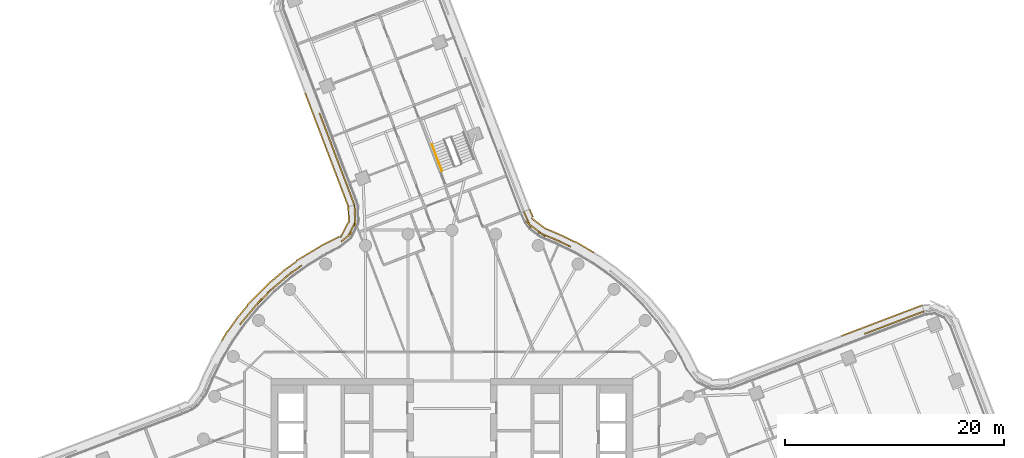
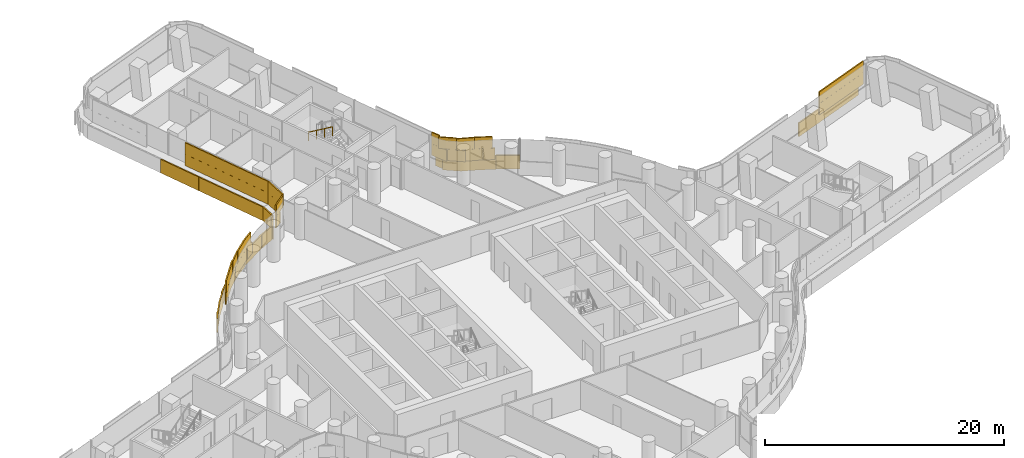
# One storey, part 31 of 32: 4 coverings, 1 railing.
"""IFC4 building model written with IfcOpenShell, lengths in metres."""

from ifc_helpers import new_model, si_unit, direction, frame, origin, origin_2d, place, context, subcontext, project, spatial, rectangle, circle, extrude, material, layer, layer_set, type_object, element, save


model = new_model("IFC4")

# Units and contexts
model_context = context("Model", 3, precision=1e-05, world=origin(), true_north=direction((0.0, 1.0)))
body_context = subcontext(model_context, "Body", "Model", "MODEL_VIEW")
ifc_project = project(units=[si_unit("LENGTHUNIT", "METRE"), si_unit("AREAUNIT", "SQUARE_METRE"), si_unit("VOLUMEUNIT", "CUBIC_METRE"), si_unit("PLANEANGLEUNIT", "RADIAN"), si_unit("MASSUNIT", "GRAM", prefix="KILO")], contexts=[model_context])

# Site, building, storey
site_placement = place(None, origin())
site = spatial("IfcSite", under=ifc_project, at=site_placement, CompositionType="ELEMENT")
building_placement = place(site_placement, origin())
building = spatial("IfcBuilding", under=site, at=building_placement, Name="Tamarind Cross Interchange Tower", CompositionType="ELEMENT")
storey_placement = place(building_placement, frame((0.0, 0.0, 109.75)))
storey = spatial("IfcBuildingStorey", under=building, at=storey_placement, Name="L26", CompositionType="ELEMENT", Elevation=109.75)

# Railing
ifc_material_1 = material(Name="Stair handrail")
railing_type = type_object("IfcRailingType", Name="Stair handrail", PredefinedType="HANDRAIL", material=ifc_material_1)
railing_placement = place(storey_placement, frame((-1.81982421875, 30.831787109375, 2.04541015625)))
element("IfcRailing", 1, at=railing_placement, inside=storey, type_object=railing_type, Name="L26 ST4 stair handrail 2", PredefinedType="HANDRAIL", context=body_context, shape_type="SweptSolid", body=[
    extrude(circle(Radius=0.02392578125, at=origin_2d()), frame((0.0, 0.0, 0.8759765625), z_axis=(0.298327282392, -0.781273527908, 0.548281412388), x_axis=(0.934209283065, 0.356725406208, 0.0)), (0.0, 0.0, 1.0), 3.10888671875),
    extrude(circle(Radius=0.02099609375, at=origin_2d()), origin(), (0.0, 0.0, 1.0), 0.851806640625),
    extrude(circle(Radius=0.02099609375, at=origin_2d()), frame((0.30908203125, -0.8095703125, 0.568115234375)), (0.0, 0.0, 1.0), 0.851806640625),
    extrude(circle(Radius=0.02099609375, at=origin_2d()), frame((0.618408203125, -1.619384765625, 1.136474609375)), (0.0, 0.0, 1.0), 0.851806640625),
    extrude(circle(Radius=0.02099609375, at=origin_2d()), frame((0.927490234375, -2.428955078125, 1.70458984375)), (0.0, 0.0, 1.0), 0.851806640625),
])

# Coverings
ifc_material_2 = material(Name="Terracotta", Category="masonry")
ifc_layer = layer(ifc_material_2, 0.1201171875)
ifc_layer_set = layer_set([ifc_layer], Name="Terracotta")
covering_type = type_object("IfcCoveringType", Name="Terracotta baguette screen unit", PredefinedType="MOLDING", material=ifc_layer_set)
covering_1_placement = place(storey_placement, origin())
element("IfcCovering", 2, at=covering_1_placement, inside=storey, type_object=covering_type, Name="SCR-L26-09-00", PredefinedType="MOLDING", context=body_context, shape_type="SweptSolid", body=[
    extrude(rectangle(XDim=1.510009765625, YDim=0.1201171875, at=origin_2d()), frame((42.316162109375, 15.3466796875, 1.404052734375), z_axis=(0.0, 0.0, 1.0), x_axis=(-0.934795735228, -0.355185773082, 0.0)), (0.0, 0.0, 1.0), 1.1669921875),
    extrude(rectangle(XDim=1.52001953125, YDim=0.1201171875, at=origin_2d()), frame((40.9140625, 14.81396484375, 1.404052734375), z_axis=(0.0, 0.0, 1.0), x_axis=(-0.934795735228, -0.355185773082, 0.0)), (0.0, 0.0, 1.0), 1.1669921875),
    extrude(rectangle(XDim=1.52001953125, YDim=0.1201171875, at=origin_2d()), frame((39.51171875, 14.28125, 1.404052734375), z_axis=(0.0, 0.0, 1.0), x_axis=(-0.934795735228, -0.355185773082, 0.0)), (0.0, 0.0, 1.0), 1.1669921875),
    extrude(rectangle(XDim=1.300537109375, YDim=0.1201171875, at=origin_2d()), frame((38.20751953125, 13.78564453125, 1.404052734375), z_axis=(0.0, 0.0, 1.0), x_axis=(-0.934795735228, -0.355185773082, 0.0)), (0.0, 0.0, 1.0), 1.1669921875),
    extrude(rectangle(XDim=0.760009765625, YDim=0.1201171875, at=origin_2d()), frame((42.666748046875, 15.47998046875, 2.5791015625), z_axis=(0.0, 0.0, 1.0), x_axis=(-0.934795735228, -0.355185773082, 0.0)), (0.0, 0.0, 1.0), 1.1669921875),
    extrude(rectangle(XDim=1.52001953125, YDim=0.1201171875, at=origin_2d()), frame((41.614990234375, 15.080322265625, 2.5791015625), z_axis=(0.0, 0.0, 1.0), x_axis=(-0.934795735228, -0.355185773082, 0.0)), (0.0, 0.0, 1.0), 1.1669921875),
    extrude(rectangle(XDim=1.52001953125, YDim=0.1201171875, at=origin_2d()), frame((40.212890625, 14.547607421875, 2.5791015625), z_axis=(0.0, 0.0, 1.0), x_axis=(-0.934795735228, -0.355185773082, 0.0)), (0.0, 0.0, 1.0), 1.1669921875),
    extrude(rectangle(XDim=1.52001953125, YDim=0.1201171875, at=origin_2d()), frame((38.810791015625, 14.014892578125, 2.5791015625), z_axis=(0.0, 0.0, 1.0), x_axis=(-0.934795735228, -0.355185773082, 0.0)), (0.0, 0.0, 1.0), 1.1669921875),
    extrude(rectangle(XDim=0.550537109375, YDim=0.1201171875, at=origin_2d()), frame((37.85693359375, 13.65234375, 2.5791015625), z_axis=(0.0, 0.0, 1.0), x_axis=(-0.934795735228, -0.355185773082, 0.0)), (0.0, 0.0, 1.0), 1.1669921875),
    extrude(rectangle(XDim=1.510009765625, YDim=0.1201171875, at=origin_2d()), frame((42.177734375, 15.908203125, 0.00390625), z_axis=(0.0, 0.0, 1.0), x_axis=(-0.934795735228, -0.355185773082, 0.0)), (0.0, 0.0, 1.0), 1.39208984375),
    extrude(rectangle(XDim=1.52001953125, YDim=0.1201171875, at=origin_2d()), frame((40.7802734375, 15.377197265625, 0.00390625), z_axis=(0.0, 0.0, 1.0), x_axis=(-0.934795735228, -0.355185773082, 0.0)), (0.0, 0.0, 1.0), 1.39208984375),
    extrude(rectangle(XDim=1.52001953125, YDim=0.1201171875, at=origin_2d()), frame((39.378173828125, 14.844482421875, 0.00390625), z_axis=(0.0, 0.0, 1.0), x_axis=(-0.934795735228, -0.355185773082, 0.0)), (0.0, 0.0, 1.0), 1.39208984375),
    extrude(rectangle(XDim=1.52001953125, YDim=0.1201171875, at=origin_2d()), frame((37.975830078125, 14.311767578125, 0.00390625), z_axis=(0.0, 0.0, 1.0), x_axis=(-0.934795735228, -0.355185773082, 0.0)), (0.0, 0.0, 1.0), 1.39208984375),
    extrude(rectangle(XDim=1.52001953125, YDim=0.1201171875, at=origin_2d()), frame((36.57373046875, 13.77880859375, 0.00390625), z_axis=(0.0, 0.0, 1.0), x_axis=(-0.934795735228, -0.355185773082, 0.0)), (0.0, 0.0, 1.0), 1.39208984375),
    extrude(rectangle(XDim=0.393310546875, YDim=0.1201171875, at=origin_2d()), frame((35.6982421875, 13.4462890625, 0.00390625), z_axis=(0.0, 0.0, 1.0), x_axis=(-0.934795735228, -0.355185773082, 0.0)), (0.0, 0.0, 1.0), 1.39208984375),
])
covering_2_placement = place(storey_placement, origin())
element("IfcCovering", 3, at=covering_2_placement, inside=storey, type_object=covering_type, Name="SCR-L26-10-01", PredefinedType="MOLDING", context=body_context, shape_type="SweptSolid", body=[
    extrude(rectangle(XDim=0.989013671875, YDim=0.1201171875, at=origin_2d()), frame((10.378662109375, 21.712646484375, 1.404052734375), z_axis=(0.0, 0.0, 1.0), x_axis=(-0.900272776334, 0.435326231914, 0.0)), (0.0, 0.0, 1.0), 1.1669921875),
    extrude(rectangle(XDim=1.52001953125, YDim=0.1201171875, at=origin_2d()), frame((9.2548828125, 22.235107421875, 1.404052734375), z_axis=(0.0, 0.0, 1.0), x_axis=(-0.92225308649, 0.386586658408, 0.0)), (0.0, 0.0, 1.0), 1.1669921875),
    extrude(rectangle(XDim=1.52001953125, YDim=0.1201171875, at=origin_2d()), frame((7.917724609375, 22.89501953125, 1.404052734375), z_axis=(0.0, 0.0, 1.0), x_axis=(-0.798500600965, 0.601994011813, 0.0)), (0.0, 0.0, 1.0), 1.1669921875),
    extrude(rectangle(XDim=1.52001953125, YDim=0.1201171875, at=origin_2d()), frame((6.8876953125, 23.95166015625, 1.404052734375), z_axis=(0.0, 0.0, 1.0), x_axis=(-0.403415408267, 0.915016944309, 0.0)), (0.0, 0.0, 1.0), 1.1669921875),
    extrude(rectangle(XDim=0.068359375, YDim=0.1201171875, at=origin_2d()), frame((6.573486328125, 24.664794921875, 1.404052734375), z_axis=(0.0, 0.0, 1.0), x_axis=(-0.403415408267, 0.915016944309, 0.0)), (0.0, 0.0, 1.0), 1.1669921875),
    extrude(rectangle(XDim=1.52001953125, YDim=0.1201171875, at=origin_2d()), frame((9.93798828125, 21.92578125, 2.5791015625), z_axis=(0.0, 0.0, 1.0), x_axis=(-0.900272776334, 0.435326231914, 0.0)), (0.0, 0.0, 1.0), 1.1669921875),
    extrude(rectangle(XDim=1.52001953125, YDim=0.1201171875, at=origin_2d()), frame((8.563232421875, 22.52490234375, 2.5791015625), z_axis=(0.0, 0.0, 1.0), x_axis=(-0.92225308649, 0.386586658408, 0.0)), (0.0, 0.0, 1.0), 1.1669921875),
    extrude(rectangle(XDim=1.52001953125, YDim=0.1201171875, at=origin_2d()), frame((7.31884765625, 23.346435546875, 2.5791015625), z_axis=(0.0, 0.0, 1.0), x_axis=(-0.798500600965, 0.601994011813, 0.0)), (0.0, 0.0, 1.0), 1.1669921875),
    extrude(rectangle(XDim=0.818359375, YDim=0.1201171875, at=origin_2d()), frame((6.724609375, 24.321533203125, 2.5791015625), z_axis=(0.0, 0.0, 1.0), x_axis=(-0.403415408267, 0.915016944309, 0.0)), (0.0, 0.0, 1.0), 1.1669921875),
    extrude(rectangle(XDim=0.534423828125, YDim=0.1201171875, at=origin_2d()), frame((12.7236328125, 21.101318359375, 0.00390625), z_axis=(0.0, 0.0, 1.0), x_axis=(-0.861248933065, 0.508183308752, 0.0)), (0.0, 0.0, 1.0), 1.39208984375),
    extrude(rectangle(XDim=1.52001953125, YDim=0.1201171875, at=origin_2d()), frame((11.856201171875, 21.61328125, 0.00390625), z_axis=(0.0, 0.0, 1.0), x_axis=(-0.861248933065, 0.508183308752, 0.0)), (0.0, 0.0, 1.0), 1.39208984375),
    extrude(rectangle(XDim=1.52001953125, YDim=0.1201171875, at=origin_2d()), frame((10.515380859375, 22.2841796875, 0.00390625), z_axis=(0.0, 0.0, 1.0), x_axis=(-0.900272776334, 0.435326231914, 0.0)), (0.0, 0.0, 1.0), 1.39208984375),
    extrude(rectangle(XDim=1.52001953125, YDim=0.1201171875, at=origin_2d()), frame((9.14892578125, 22.90185546875, 0.00390625), z_axis=(0.0, 0.0, 1.0), x_axis=(-0.92225308649, 0.386586658408, 0.0)), (0.0, 0.0, 1.0), 1.39208984375),
    extrude(rectangle(XDim=1.52001953125, YDim=0.1201171875, at=origin_2d()), frame((7.864501953125, 23.65380859375, 0.00390625), z_axis=(0.0, 0.0, 1.0), x_axis=(-0.798500600965, 0.601994011813, 0.0)), (0.0, 0.0, 1.0), 1.39208984375),
    extrude(rectangle(XDim=0.760498046875, YDim=0.1201171875, at=origin_2d()), frame((7.24609375, 24.561767578125, 0.00390625), z_axis=(0.0, 0.0, 1.0), x_axis=(-0.403415408267, 0.915016944309, 0.0)), (0.0, 0.0, 1.0), 1.39208984375),
])
covering_3_placement = place(storey_placement, origin())
element("IfcCovering", 4, at=covering_3_placement, inside=storey, type_object=covering_type, Name="SCR-L26-13-01", PredefinedType="MOLDING", context=body_context, shape_type="SweptSolid", body=[
    extrude(rectangle(XDim=0.519287109375, YDim=0.1201171875, at=origin_2d()), frame((-11.97412109375, 33.43994140625, 1.404052734375), z_axis=(0.0, 0.0, 1.0), x_axis=(0.355185773082, -0.934795735228, 0.0)), (0.0, 0.0, 1.0), 1.1669921875),
    extrude(rectangle(XDim=1.52001953125, YDim=0.1201171875, at=origin_2d()), frame((-11.617431640625, 32.500732421875, 1.404052734375), z_axis=(0.0, 0.0, 1.0), x_axis=(0.355185773082, -0.934795735228, 0.0)), (0.0, 0.0, 1.0), 1.1669921875),
    extrude(rectangle(XDim=1.52001953125, YDim=0.1201171875, at=origin_2d()), frame((-11.08447265625, 31.0986328125, 1.404052734375), z_axis=(0.0, 0.0, 1.0), x_axis=(0.355185773082, -0.934795735228, 0.0)), (0.0, 0.0, 1.0), 1.1669921875),
    extrude(rectangle(XDim=1.52001953125, YDim=0.1201171875, at=origin_2d()), frame((-10.5517578125, 29.696533203125, 1.404052734375), z_axis=(0.0, 0.0, 1.0), x_axis=(0.355185773082, -0.934795735228, 0.0)), (0.0, 0.0, 1.0), 1.1669921875),
    extrude(rectangle(XDim=1.52001953125, YDim=0.1201171875, at=origin_2d()), frame((-10.01904296875, 28.294189453125, 1.404052734375), z_axis=(0.0, 0.0, 1.0), x_axis=(0.355185773082, -0.934795735228, 0.0)), (0.0, 0.0, 1.0), 1.1669921875),
    extrude(rectangle(XDim=1.52001953125, YDim=0.1201171875, at=origin_2d()), frame((-9.486083984375, 26.89208984375, 1.404052734375), z_axis=(0.0, 0.0, 1.0), x_axis=(0.355185773082, -0.934795735228, 0.0)), (0.0, 0.0, 1.0), 1.1669921875),
    extrude(rectangle(XDim=0.97705078125, YDim=0.1201171875, at=origin_2d()), frame((-9.048095703125, 25.739013671875, 1.404052734375), z_axis=(0.0, 0.0, 1.0), x_axis=(0.355185773082, -0.934795735228, 0.0)), (0.0, 0.0, 1.0), 1.1669921875),
    extrude(rectangle(XDim=1.269287109375, YDim=0.1201171875, at=origin_2d()), frame((-11.841064453125, 33.08935546875, 2.5791015625), z_axis=(0.0, 0.0, 1.0), x_axis=(0.355185773082, -0.934795735228, 0.0)), (0.0, 0.0, 1.0), 1.1669921875),
    extrude(rectangle(XDim=1.52001953125, YDim=0.1201171875, at=origin_2d()), frame((-11.350830078125, 31.7998046875, 2.5791015625), z_axis=(0.0, 0.0, 1.0), x_axis=(0.355185773082, -0.934795735228, 0.0)), (0.0, 0.0, 1.0), 1.1669921875),
    extrude(rectangle(XDim=1.52001953125, YDim=0.1201171875, at=origin_2d()), frame((-10.818115234375, 30.3974609375, 2.5791015625), z_axis=(0.0, 0.0, 1.0), x_axis=(0.355185773082, -0.934795735228, 0.0)), (0.0, 0.0, 1.0), 1.1669921875),
    extrude(rectangle(XDim=1.52001953125, YDim=0.1201171875, at=origin_2d()), frame((-10.285400390625, 28.995361328125, 2.5791015625), z_axis=(0.0, 0.0, 1.0), x_axis=(0.355185773082, -0.934795735228, 0.0)), (0.0, 0.0, 1.0), 1.1669921875),
    extrude(rectangle(XDim=1.52001953125, YDim=0.1201171875, at=origin_2d()), frame((-9.752685546875, 27.59326171875, 2.5791015625), z_axis=(0.0, 0.0, 1.0), x_axis=(0.355185773082, -0.934795735228, 0.0)), (0.0, 0.0, 1.0), 1.1669921875),
    extrude(rectangle(XDim=1.52001953125, YDim=0.1201171875, at=origin_2d()), frame((-9.2197265625, 26.19091796875, 2.5791015625), z_axis=(0.0, 0.0, 1.0), x_axis=(0.355185773082, -0.934795735228, 0.0)), (0.0, 0.0, 1.0), 1.1669921875),
    extrude(rectangle(XDim=0.22705078125, YDim=0.1201171875, at=origin_2d()), frame((-8.914794921875, 25.388427734375, 2.5791015625), z_axis=(0.0, 0.0, 1.0), x_axis=(0.355185773082, -0.934795735228, 0.0)), (0.0, 0.0, 1.0), 1.1669921875),
    extrude(rectangle(XDim=1.126708984375, YDim=0.1201171875, at=origin_2d()), frame((-13.17626953125, 34.98779296875, 0.00390625), z_axis=(0.0, 0.0, 1.0), x_axis=(0.355185773082, -0.934795735228, 0.0)), (0.0, 0.0, 1.0), 1.39208984375),
    extrude(rectangle(XDim=1.52001953125, YDim=0.1201171875, at=origin_2d()), frame((-12.71337890625, 33.769287109375, 0.00390625), z_axis=(0.0, 0.0, 1.0), x_axis=(0.355185773082, -0.934795735228, 0.0)), (0.0, 0.0, 1.0), 1.39208984375),
    extrude(rectangle(XDim=1.52001953125, YDim=0.1201171875, at=origin_2d()), frame((-12.1806640625, 32.3671875, 0.00390625), z_axis=(0.0, 0.0, 1.0), x_axis=(0.355185773082, -0.934795735228, 0.0)), (0.0, 0.0, 1.0), 1.39208984375),
    extrude(rectangle(XDim=1.52001953125, YDim=0.1201171875, at=origin_2d()), frame((-11.647705078125, 30.96484375, 0.00390625), z_axis=(0.0, 0.0, 1.0), x_axis=(0.355185773082, -0.934795735228, 0.0)), (0.0, 0.0, 1.0), 1.39208984375),
    extrude(rectangle(XDim=1.52001953125, YDim=0.1201171875, at=origin_2d()), frame((-11.114990234375, 29.562744140625, 0.00390625), z_axis=(0.0, 0.0, 1.0), x_axis=(0.355185773082, -0.934795735228, 0.0)), (0.0, 0.0, 1.0), 1.39208984375),
    extrude(rectangle(XDim=1.52001953125, YDim=0.1201171875, at=origin_2d()), frame((-10.582275390625, 28.16064453125, 0.00390625), z_axis=(0.0, 0.0, 1.0), x_axis=(0.355185773082, -0.934795735228, 0.0)), (0.0, 0.0, 1.0), 1.39208984375),
    extrude(rectangle(XDim=1.52001953125, YDim=0.1201171875, at=origin_2d()), frame((-10.049560546875, 26.75830078125, 0.00390625), z_axis=(0.0, 0.0, 1.0), x_axis=(0.355185773082, -0.934795735228, 0.0)), (0.0, 0.0, 1.0), 1.39208984375),
    extrude(rectangle(XDim=0.95947265625, YDim=0.1201171875, at=origin_2d()), frame((-9.6162109375, 25.6181640625, 0.00390625), z_axis=(0.0, 0.0, 1.0), x_axis=(0.355185773082, -0.934795735228, 0.0)), (0.0, 0.0, 1.0), 1.39208984375),
])
covering_4_placement = place(storey_placement, origin())
element("IfcCovering", 5, at=covering_4_placement, inside=storey, type_object=covering_type, Name="SCR-L26-14-00", PredefinedType="MOLDING", context=body_context, shape_type="SweptSolid", body=[
    extrude(rectangle(XDim=1.510009765625, YDim=0.1201171875, at=origin_2d()), frame((-8.84423828125, 24.53759765625, 1.404052734375), z_axis=(0.0, 0.0, 1.0), x_axis=(0.042727525273, -0.99908676229, 0.0)), (0.0, 0.0, 1.0), 1.1669921875),
    extrude(rectangle(XDim=1.52001953125, YDim=0.1201171875, at=origin_2d()), frame((-9.130126953125, 23.112548828125, 1.404052734375), z_axis=(0.0, 0.0, 1.0), x_axis=(-0.441568715504, -0.89722743465, 0.0)), (0.0, 0.0, 1.0), 1.1669921875),
    extrude(rectangle(XDim=0.787109375, YDim=0.1201171875, at=origin_2d()), frame((-9.78857421875, 22.215576171875, 1.404052734375), z_axis=(0.0, 0.0, 1.0), x_axis=(-0.778238692139, -0.62796858047, 0.0)), (0.0, 0.0, 1.0), 1.1669921875),
    extrude(rectangle(XDim=1.032958984375, YDim=0.1201171875, at=origin_2d()), frame((-14.093017578125, 19.50732421875, 1.404052734375), z_axis=(0.0, 0.0, 1.0), x_axis=(-0.811340475102, -0.584573890505, 0.0)), (0.0, 0.0, 1.0), 1.1669921875),
    extrude(rectangle(XDim=1.52001953125, YDim=0.1201171875, at=origin_2d()), frame((-15.101318359375, 18.75048828125, 1.404052734375), z_axis=(0.0, 0.0, 1.0), x_axis=(-0.760295606781, -0.64957723968, 0.0)), (0.0, 0.0, 1.0), 1.1669921875),
    extrude(rectangle(XDim=1.52001953125, YDim=0.1201171875, at=origin_2d()), frame((-16.24169921875, 17.776123046875, 1.404052734375), z_axis=(0.0, 0.0, 1.0), x_axis=(-0.760295606781, -0.64957723968, 0.0)), (0.0, 0.0, 1.0), 1.1669921875),
    extrude(rectangle(XDim=1.52001953125, YDim=0.1201171875, at=origin_2d()), frame((-17.308837890625, 16.72265625, 1.404052734375), z_axis=(0.0, 0.0, 1.0), x_axis=(-0.704057148523, -0.710143317658, 0.0)), (0.0, 0.0, 1.0), 1.1669921875),
    extrude(rectangle(XDim=1.52001953125, YDim=0.1201171875, at=origin_2d()), frame((-18.31494140625, 15.612060546875, 1.404052734375), z_axis=(0.0, 0.0, 1.0), x_axis=(-0.643009266048, -0.765858396687, 0.0)), (0.0, 0.0, 1.0), 1.1669921875),
    extrude(rectangle(XDim=0.8310546875, YDim=0.1201171875, at=origin_2d()), frame((-19.061279296875, 14.723388671875, 1.404052734375), z_axis=(0.0, 0.0, 1.0), x_axis=(-0.643009266048, -0.765858396687, 0.0)), (0.0, 0.0, 1.0), 1.1669921875),
    extrude(rectangle(XDim=0.760009765625, YDim=0.1201171875, at=origin_2d()), frame((-8.8603515625, 24.912353515625, 2.5791015625), z_axis=(0.0, 0.0, 1.0), x_axis=(0.042727525273, -0.99908676229, 0.0)), (0.0, 0.0, 1.0), 1.1669921875),
    extrude(rectangle(XDim=1.52001953125, YDim=0.1201171875, at=origin_2d()), frame((-8.812255859375, 23.788330078125, 2.5791015625), z_axis=(0.0, 0.0, 1.0), x_axis=(0.042727525273, -0.99908676229, 0.0)), (0.0, 0.0, 1.0), 1.1669921875),
    extrude(rectangle(XDim=1.52001953125, YDim=0.1201171875, at=origin_2d()), frame((-9.486083984375, 22.459716796875, 2.5791015625), z_axis=(0.0, 0.0, 1.0), x_axis=(-0.778238692139, -0.62796858047, 0.0)), (0.0, 0.0, 1.0), 1.1669921875),
    extrude(rectangle(XDim=1.52001953125, YDim=0.1201171875, at=origin_2d()), frame((-14.508056640625, 19.208251953125, 2.5791015625), z_axis=(0.0, 0.0, 1.0), x_axis=(-0.811340475102, -0.584573890505, 0.0)), (0.0, 0.0, 1.0), 1.1669921875),
    extrude(rectangle(XDim=1.52001953125, YDim=0.1201171875, at=origin_2d()), frame((-15.671630859375, 18.263427734375, 2.5791015625), z_axis=(0.0, 0.0, 1.0), x_axis=(-0.760295606781, -0.64957723968, 0.0)), (0.0, 0.0, 1.0), 1.1669921875),
    extrude(rectangle(XDim=1.52001953125, YDim=0.1201171875, at=origin_2d()), frame((-16.78076171875, 17.25537109375, 2.5791015625), z_axis=(0.0, 0.0, 1.0), x_axis=(-0.704057148523, -0.710143317658, 0.0)), (0.0, 0.0, 1.0), 1.1669921875),
    extrude(rectangle(XDim=1.52001953125, YDim=0.1201171875, at=origin_2d()), frame((-17.832763671875, 16.1865234375, 2.5791015625), z_axis=(0.0, 0.0, 1.0), x_axis=(-0.643009266048, -0.765858396687, 0.0)), (0.0, 0.0, 1.0), 1.1669921875),
    extrude(rectangle(XDim=1.52001953125, YDim=0.1201171875, at=origin_2d()), frame((-18.79736328125, 15.03759765625, 2.5791015625), z_axis=(0.0, 0.0, 1.0), x_axis=(-0.643009266048, -0.765858396687, 0.0)), (0.0, 0.0, 1.0), 1.1669921875),
    extrude(rectangle(XDim=1.510009765625, YDim=0.1201171875, at=origin_2d()), frame((-9.41357421875, 24.415283203125, 0.00390625), z_axis=(0.0, 0.0, 1.0), x_axis=(0.042727525273, -0.99908676229, 0.0)), (0.0, 0.0, 1.0), 1.39208984375),
    extrude(rectangle(XDim=1.52001953125, YDim=0.1201171875, at=origin_2d()), frame((-9.8154296875, 23.019775390625, 0.00390625), z_axis=(0.0, 0.0, 1.0), x_axis=(-0.441568715504, -0.89722743465, 0.0)), (0.0, 0.0, 1.0), 1.39208984375),
    extrude(rectangle(XDim=1.52001953125, YDim=0.1201171875, at=origin_2d()), frame((-10.953369140625, 22.07373046875, 0.00390625), z_axis=(0.0, 0.0, 1.0), x_axis=(-0.895356654475, -0.445349819005, 0.0)), (0.0, 0.0, 1.0), 1.39208984375),
    extrude(rectangle(XDim=1.52001953125, YDim=0.1201171875, at=origin_2d()), frame((-12.2763671875, 21.369140625, 0.00390625), z_axis=(0.0, 0.0, 1.0), x_axis=(-0.856843065292, -0.515577308909, 0.0)), (0.0, 0.0, 1.0), 1.39208984375),
    extrude(rectangle(XDim=1.52001953125, YDim=0.1201171875, at=origin_2d()), frame((-13.561767578125, 20.595703125, 0.00390625), z_axis=(0.0, 0.0, 1.0), x_axis=(-0.856843065292, -0.515577308909, 0.0)), (0.0, 0.0, 1.0), 1.39208984375),
    extrude(rectangle(XDim=1.52001953125, YDim=0.1201171875, at=origin_2d()), frame((-14.779541015625, 19.72021484375, 0.00390625), z_axis=(0.0, 0.0, 1.0), x_axis=(-0.811340475102, -0.584573890505, 0.0)), (0.0, 0.0, 1.0), 1.39208984375),
    extrude(rectangle(XDim=1.52001953125, YDim=0.1201171875, at=origin_2d()), frame((-15.9482421875, 18.781982421875, 0.00390625), z_axis=(0.0, 0.0, 1.0), x_axis=(-0.760295606781, -0.64957723968, 0.0)), (0.0, 0.0, 1.0), 1.39208984375),
    extrude(rectangle(XDim=1.52001953125, YDim=0.1201171875, at=origin_2d()), frame((-17.06591796875, 17.782958984375, 0.00390625), z_axis=(0.0, 0.0, 1.0), x_axis=(-0.704057148523, -0.710143317658, 0.0)), (0.0, 0.0, 1.0), 1.39208984375),
    extrude(rectangle(XDim=1.52001953125, YDim=0.1201171875, at=origin_2d()), frame((-18.1220703125, 16.7177734375, 0.00390625), z_axis=(0.0, 0.0, 1.0), x_axis=(-0.704057148523, -0.710143317658, 0.0)), (0.0, 0.0, 1.0), 1.39208984375),
    extrude(rectangle(XDim=1.52001953125, YDim=0.1201171875, at=origin_2d()), frame((-19.094482421875, 15.576171875, 0.00390625), z_axis=(0.0, 0.0, 1.0), x_axis=(-0.643009266048, -0.765858396687, 0.0)), (0.0, 0.0, 1.0), 1.39208984375),
    extrude(rectangle(XDim=1.52001953125, YDim=0.1201171875, at=origin_2d()), frame((-20.0048828125, 14.385498046875, 0.00390625), z_axis=(0.0, 0.0, 1.0), x_axis=(-0.577568978284, -0.816341886298, 0.0)), (0.0, 0.0, 1.0), 1.39208984375),
    extrude(rectangle(XDim=0.985595703125, YDim=0.1201171875, at=origin_2d()), frame((-20.715087890625, 13.378173828125, 0.00390625), z_axis=(0.0, 0.0, 1.0), x_axis=(-0.508183308752, -0.861248933065, 0.0)), (0.0, 0.0, 1.0), 1.39208984375),
])

save(model, "model.ifc")
